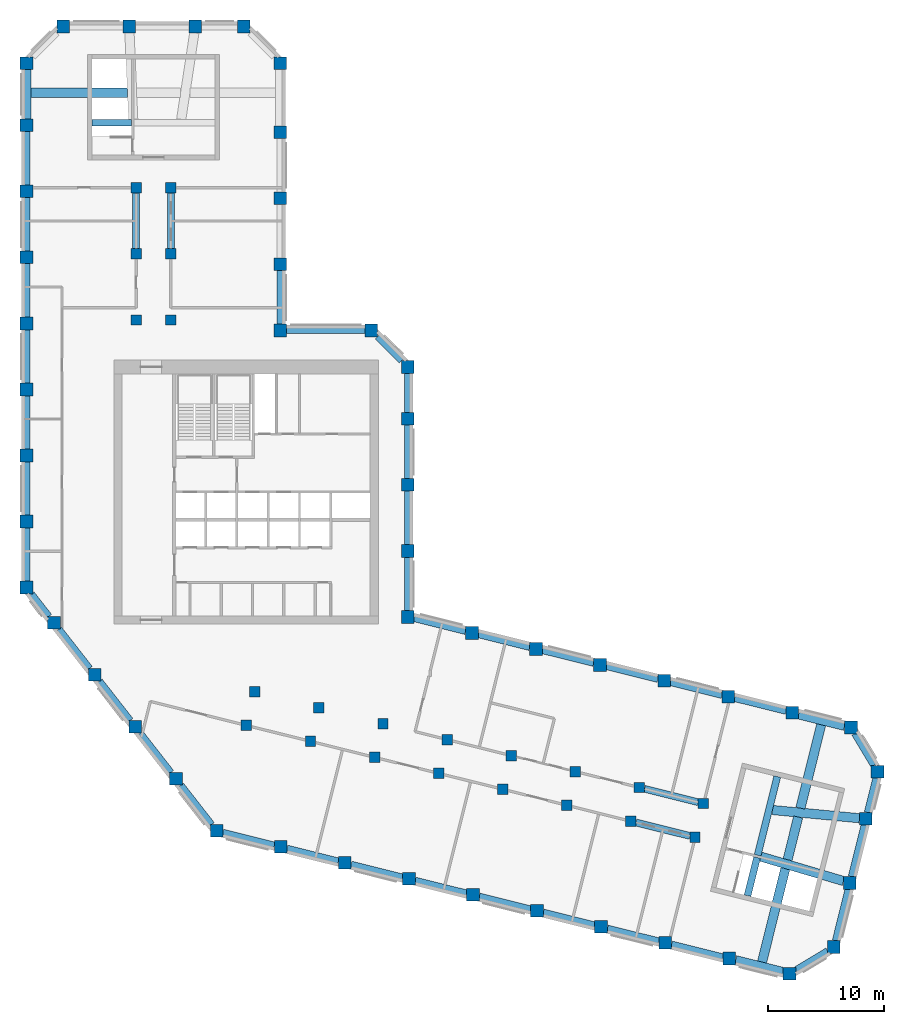
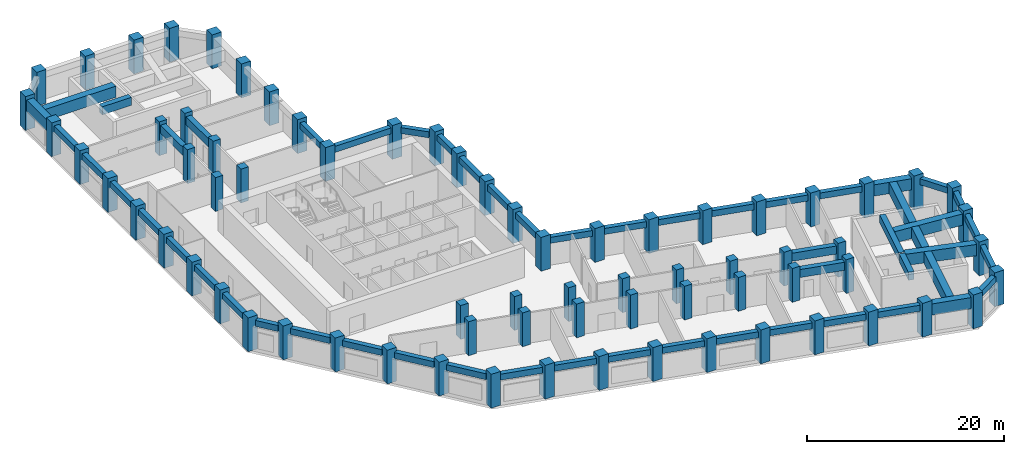
# One storey, part 1 of 8: 71 columns, 54 beams.
"""IFC4 building model written with IfcOpenShell, lengths in metres."""

from ifc_helpers import new_model, si_unit, direction, frame, origin, origin_2d, place, context, subcontext, project, spatial, rectangle, extrude, material, material_profile, profile_set, type_object, element, save


model = new_model("IFC4")

# Units and contexts
model_context = context("Model", 3, precision=1e-05, world=origin(), true_north=direction((0.0, 1.0)))
body_context = subcontext(model_context, "Body", "Model", "MODEL_VIEW")
ifc_project = project(units=[si_unit("LENGTHUNIT", "METRE"), si_unit("AREAUNIT", "SQUARE_METRE"), si_unit("VOLUMEUNIT", "CUBIC_METRE"), si_unit("PLANEANGLEUNIT", "RADIAN"), si_unit("MASSUNIT", "GRAM", prefix="KILO")], contexts=[model_context])

# Site, building, storey
site_placement = place(None, origin())
site = spatial("IfcSite", under=ifc_project, at=site_placement, CompositionType="ELEMENT")
building_placement = place(site_placement, origin())
building = spatial("IfcBuilding", under=site, at=building_placement, Name="Meshkara Civic Tower", CompositionType="ELEMENT")
storey_placement = place(building_placement, frame((0.0, 0.0, 280.199951171875)))
storey = spatial("IfcBuildingStorey", under=building, at=storey_placement, Name="L64", CompositionType="ELEMENT", Elevation=280.199951171875)

# Columns
ifc_material_1 = material(Name="Concrete C60", Category="concrete")
ifc_material_profile_1 = material_profile(ifc_material_1, rectangle(XDim=0.89990234375, YDim=0.89990234375, at=origin_2d()))
ifc_profile_set_1 = profile_set([ifc_material_profile_1], Name="Concrete C60")
column_type_1 = type_object("IfcColumnType", Name="Interior column RC 900x900 C60", PredefinedType="COLUMN", material=ifc_profile_set_1)
for number, where, z_axis, x_axis, name in (
    (1, (9.89990234375, 40.35009765625, 0.0), (0.0, 0.0, 1.0), (1.0, 0.0, 0.0), "Column SA1-04 L64"),
    (2, (9.89990234375, 46.050048828125, 0.0), (0.0, 0.0, 1.0), (1.0, 0.0, 0.0), "Column SA1-05 L64"),
    (3, (9.89990234375, 51.75, 0.0), (0.0, 0.0, 1.0), (1.0, 0.0, 0.0), "Column SA1-06 L64"),
    (4, (12.89990234375, 40.35009765625, 0.0), (0.0, 0.0, 1.0), (1.0, 0.0, 0.0), "Column SA2-04 L64"),
    (5, (12.89990234375, 46.050048828125, 0.0), (0.0, 0.0, 1.0), (1.0, 0.0, 0.0), "Column SA2-05 L64"),
    (6, (12.89990234375, 51.75, 0.0), (0.0, 0.0, 1.0), (1.0, 0.0, 0.0), "Column SA2-06 L64"),
    (7, (19.424072265625, 5.360107421875, 0.0), (0.0, 0.0, 1.0), (1.0, 0.0, 0.0), "Column SB1-00 L64"),
    (8, (24.9541015625, 3.98095703125, 0.0), (0.0, 0.0, 1.0), (1.0, 0.0, 0.0), "Column SB1-01 L64"),
    (9, (30.485107421875, 2.60205078125, 0.0), (0.0, 0.0, 1.0), (1.0, 0.0, 0.0), "Column SB1-02 L64"),
    (10, (36.01611328125, 1.222900390625, 0.0), (0.0, 0.0, 1.0), (1.0, 0.0, 0.0), "Column SB1-03 L64"),
    (11, (41.5458984375, -0.156005859375, 0.0), (0.0, 0.0, 1.0), (1.0, 0.0, 0.0), "Column SB1-04 L64"),
    (12, (47.076904296875, -1.534912109375, 0.0), (0.0, 0.0, 1.0), (1.0, 0.0, 0.0), "Column SB1-05 L64"),
    (13, (52.60791015625, -2.9140625, 0.0), (0.0, 0.0, 1.0), (1.0, 0.0, 0.0), "Column SB1-06 L64"),
    (14, (58.138916015625, -4.2919921875, 0.0), (0.0, 0.0, 1.0), (1.0, 0.0, 0.0), "Column SB1-07 L64"),
    (15, (20.14892578125, 8.27099609375, 0.0), (0.0, 0.0, 1.0), (1.0, 0.0, 0.0), "Column SB2-00 L64"),
    (16, (25.679931640625, 6.89208984375, 0.0), (0.0, 0.0, 1.0), (1.0, 0.0, 0.0), "Column SB2-01 L64"),
    (17, (31.2109375, 5.512939453125, 0.0), (0.0, 0.0, 1.0), (1.0, 0.0, 0.0), "Column SB2-02 L64"),
    (18, (36.741943359375, 4.134033203125, 0.0), (0.0, 0.0, 1.0), (1.0, 0.0, 0.0), "Column SB2-03 L64"),
    (19, (42.27197265625, 2.7548828125, 0.0), (0.0, 0.0, 1.0), (1.0, 0.0, 0.0), "Column SB2-04 L64"),
    (20, (47.802978515625, 1.3759765625, 0.0), (0.0, 0.0, 1.0), (1.0, 0.0, 0.0), "Column SB2-05 L64"),
    (21, (53.333984375, -0.0029296875, 0.0), (0.0, 0.0, 1.0), (1.0, 0.0, 0.0), "Column SB2-06 L64"),
    (22, (58.864013671875, -1.382080078125, 0.0), (0.0, 0.0, 1.0), (1.0, 0.0, 0.0), "Column SB2-07 L64"),
):
    element("IfcColumn", number, at=place(storey_placement, frame(where, z_axis=z_axis, x_axis=x_axis)), inside=storey, type_object=column_type_1, Name=name, PredefinedType="COLUMN", context=body_context, shape_type="SweptSolid", body=[
        extrude(rectangle(XDim=0.89990234375, YDim=0.89990234375, at=origin_2d()), origin(), (0.0, 0.0, 1.0), 4.199951171875),
    ])
ifc_material_2 = material(Name="Concrete C60", Category="concrete")
ifc_material_profile_2 = material_profile(ifc_material_2, rectangle(XDim=1.10009765625, YDim=1.10009765625, at=origin_2d()))
ifc_profile_set_2 = profile_set([ifc_material_profile_2], Name="Concrete C60")
column_type_2 = type_object("IfcColumnType", Name="Perimeter column RC 1100x1100 C60", PredefinedType="COLUMN", material=ifc_profile_set_2)
for number, where, z_axis, x_axis, name in (
    (23, (33.35009765625, 14.718994140625, 0.0), (0.0, 0.0, 1.0), (1.0, 0.0, 0.0), "Column HE00 L64"),
    (24, (33.35009765625, 20.4189453125, 0.0), (0.0, 0.0, 1.0), (1.0, 0.0, 0.0), "Column HE01 L64"),
    (25, (33.35009765625, 26.118896484375, 0.0), (0.0, 0.0, 1.0), (1.0, 0.0, 0.0), "Column HE02 L64"),
    (26, (33.35009765625, 31.819091796875, 0.0), (0.0, 0.0, 1.0), (1.0, 0.0, 0.0), "Column HE03 L64"),
    (27, (33.35009765625, 36.2939453125, 0.0), (0.0, 0.0, 1.0), (1.0, 0.0, 0.0), "Column HEE L64"),
    (28, (30.194091796875, 39.449951171875, 0.0), (0.0, 0.0, 1.0), (1.0, 0.0, 0.0), "Column HCeE L64"),
    (29, (22.35009765625, 39.449951171875, 0.0), (0.0, 0.0, 1.0), (1.0, 0.0, 0.0), "Column HN00 L64"),
    (30, (22.35009765625, 45.14990234375, 0.0), (0.0, 0.0, 1.0), (1.0, 0.0, 0.0), "Column AE01 L64"),
    (31, (22.35009765625, 50.85009765625, 0.0), (0.0, 0.0, 1.0), (1.0, 0.0, 0.0), "Column AE02 L64"),
    (32, (22.35009765625, 56.550048828125, 0.0), (0.0, 0.0, 1.0), (1.0, 0.0, 0.0), "Column AE03 L64"),
    (33, (22.35009765625, 62.513916015625, 0.0), (0.0, 0.0, 1.0), (1.0, 0.0, 0.0), "Column AEEP3 L64"),
    (34, (19.194091796875, 65.669921875, 0.0), (0.0, 0.0, 1.0), (1.0, 0.0, 0.0), "Column ATiEP3 L64"),
    (35, (3.60595703125, 65.669921875, 0.0), (0.0, 0.0, 1.0), (1.0, 0.0, 0.0), "Column AT00-P3 L64"),
    (36, (9.305908203125, 65.669921875, 0.0), (0.0, 0.0, 1.0), (1.0, 0.0, 0.0), "Column AT01-P3 L64"),
    (37, (15.006103515625, 65.669921875, 0.0), (0.0, 0.0, 1.0), (1.0, 0.0, 0.0), "Column AT02-P3 L64"),
    (38, (0.449951171875, 62.513916015625, 0.0), (0.0, 0.0, 1.0), (1.0, 0.0, 0.0), "Column ATo00-P3 L64"),
    (39, (0.449951171875, 17.2548828125, 0.0), (0.0, 0.0, 1.0), (1.0, 0.0, 0.0), "Column AW00 L64"),
    (40, (0.449951171875, 22.955078125, 0.0), (0.0, 0.0, 1.0), (1.0, 0.0, 0.0), "Column AW01 L64"),
    (41, (0.449951171875, 28.655029296875, 0.0), (0.0, 0.0, 1.0), (1.0, 0.0, 0.0), "Column AW02 L64"),
    (42, (0.449951171875, 34.35498046875, 0.0), (0.0, 0.0, 1.0), (1.0, 0.0, 0.0), "Column AW03 L64"),
    (43, (0.449951171875, 40.054931640625, 0.0), (0.0, 0.0, 1.0), (1.0, 0.0, 0.0), "Column AW04 L64"),
    (44, (0.449951171875, 45.7548828125, 0.0), (0.0, 0.0, 1.0), (1.0, 0.0, 0.0), "Column AW05 L64"),
    (45, (0.449951171875, 51.455078125, 0.0), (0.0, 0.0, 1.0), (1.0, 0.0, 0.0), "Column AW06 L64"),
    (46, (0.449951171875, 57.155029296875, 0.0), (0.0, 0.0, 1.0), (1.0, 0.0, 0.0), "Column AW07 L64"),
    (47, (16.85107421875, -3.738037109375, 0.0), (0.0, 0.0, 1.0), (1.0, 0.0, 0.0), "Column BOW00 L64"),
    (48, (13.342041015625, 0.75390625, 0.0), (0.0, 0.0, 1.0), (1.0, 0.0, 0.0), "Column BOW01 L64"),
    (49, (9.8330078125, 5.2451171875, 0.0), (0.0, 0.0, 1.0), (1.0, 0.0, 0.0), "Column BOW02 L64"),
    (50, (6.322998046875, 9.737060546875, 0.0), (0.0, 0.0, 1.0), (1.0, 0.0, 0.0), "Column BOW03 L64"),
    (51, (2.81396484375, 14.22900390625, 0.0), (0.0, 0.0, 1.0), (1.0, 0.0, 0.0), "Column BOW04 L64"),
    (52, (22.382080078125, -5.116943359375, 0.0), (0.0, 0.0, 1.0), (1.0, 0.0, 0.0), "Column BS01 L64"),
    (53, (27.912109375, -6.49609375, 0.0), (0.0, 0.0, 1.0), (1.0, 0.0, 0.0), "Column BS02 L64"),
    (54, (33.443115234375, -7.875, 0.0), (0.0, 0.0, 1.0), (1.0, 0.0, 0.0), "Column BS03 L64"),
    (55, (38.97412109375, -9.2529296875, 0.0), (0.0, 0.0, 1.0), (1.0, 0.0, 0.0), "Column BS04-P1 L64"),
    (56, (44.5048828125, -10.632080078125, 0.0), (0.0, 0.0, 1.0), (1.0, 0.0, 0.0), "Column BS05 L64"),
    (57, (50.034912109375, -12.010986328125, 0.0), (0.0, 0.0, 1.0), (1.0, 0.0, 0.0), "Column BS06 L64"),
    (58, (55.56591796875, -13.389892578125, 0.0), (0.0, 0.0, 1.0), (1.0, 0.0, 0.0), "Column BS07 L64"),
    (59, (61.096923828125, -14.76904296875, 0.0), (0.0, 0.0, 1.0), (1.0, 0.0, 0.0), "Column BS08 L64"),
    (60, (66.2958984375, -16.06494140625, 0.0), (0.0, 0.0, 1.0), (1.0, 0.0, 0.0), "Column BSEP3 L64"),
    (61, (70.1220703125, -13.76611328125, 0.0), (0.0, 0.0, 1.0), (1.0, 0.0, 0.0), "Column BToEP3 L64"),
    (62, (71.5009765625, -8.235107421875, 0.0), (0.0, 0.0, 1.0), (1.0, 0.0, 0.0), "Column BT01-P3 L64"),
    (63, (72.8798828125, -2.705078125, 0.0), (0.0, 0.0, 1.0), (1.0, 0.0, 0.0), "Column BT02-P3 L64"),
    (64, (73.89306640625, 1.35791015625, 0.0), (0.0, 0.0, 1.0), (1.0, 0.0, 0.0), "Column BTEP3 L64"),
    (65, (71.593994140625, 5.18310546875, 0.0), (0.0, 0.0, 1.0), (1.0, 0.0, 0.0), "Column BTi00-P3 L64"),
    (66, (38.881103515625, 13.340087890625, 0.0), (0.0, 0.0, 1.0), (1.0, 0.0, 0.0), "Column BN01 L64"),
    (67, (44.410888671875, 11.9609375, 0.0), (0.0, 0.0, 1.0), (1.0, 0.0, 0.0), "Column BN02 L64"),
    (68, (49.94189453125, 10.58203125, 0.0), (0.0, 0.0, 1.0), (1.0, 0.0, 0.0), "Column BN03 L64"),
    (69, (55.472900390625, 9.202880859375, 0.0), (0.0, 0.0, 1.0), (1.0, 0.0, 0.0), "Column BN04 L64"),
    (70, (61.0029296875, 7.823974609375, 0.0), (0.0, 0.0, 1.0), (1.0, 0.0, 0.0), "Column BN05 L64"),
    (71, (66.533935546875, 6.445068359375, 0.0), (0.0, 0.0, 1.0), (1.0, 0.0, 0.0), "Column BN06 L64"),
):
    element("IfcColumn", number, at=place(storey_placement, frame(where, z_axis=z_axis, x_axis=x_axis)), inside=storey, type_object=column_type_2, Name=name, PredefinedType="COLUMN", context=body_context, shape_type="SweptSolid", body=[
        extrude(rectangle(XDim=1.10009765625, YDim=1.10009765625, at=origin_2d()), origin(), (0.0, 0.0, 1.0), 4.199951171875),
    ])

# Beams
ifc_material_3 = material(Name="Concrete C60", Category="concrete")
ifc_material_profile_3 = material_profile(ifc_material_3, rectangle(XDim=0.60009765625, YDim=1.0, at=origin_2d()))
ifc_profile_set_3 = profile_set([ifc_material_profile_3], Name="Concrete C60")
beam_type_1 = type_object("IfcBeamType", Name="Core transfer beam RC 600x1000 C60", PredefinedType="BEAM", material=ifc_profile_set_3)
for number, where, z_axis, x_axis, name in (
    (72, (9.89990234375, 46.5, 3.25), (0.0, 1.0, 0.0), (-1.0, 0.0, 0.0), "Transfer beam A L65 core-side wall"),
    (73, (12.89990234375, 46.5, 3.25), (0.0, 1.0, 0.0), (-1.0, 0.0, 0.0), "Transfer beam A L65 core-side wall"),
):
    element("IfcBeam", number, at=place(storey_placement, frame(where, z_axis=z_axis, x_axis=x_axis)), inside=storey, type_object=beam_type_1, Name=name, PredefinedType="BEAM", context=body_context, shape_type="SweptSolid", body=[
        extrude(rectangle(XDim=0.60009765625, YDim=1.0, at=origin_2d()), origin(), (0.0, 0.0, 1.0), 4.800048828125),
    ])
beam_1_placement = place(storey_placement, frame((6.10009765625, 57.3701171875, 3.25), z_axis=(1.0, 0.0, 0.0), x_axis=(0.0, 1.0, 0.0)))
element("IfcBeam", 74, at=beam_1_placement, inside=storey, type_object=beam_type_1, Name="Transfer beam A L65 tip-side wall", PredefinedType="BEAM", context=body_context, shape_type="SweptSolid", body=[
    extrude(rectangle(XDim=0.60009765625, YDim=1.0, at=origin_2d()), origin(), (0.0, 0.0, 1.0), 3.39990234375),
])
beam_2_placement = place(storey_placement, frame((53.044921875, -3.02294921875, 3.25), z_axis=(0.970342655799, -0.241733593728, 0.0), x_axis=(0.241733593728, 0.970342655799, 0.0)))
element("IfcBeam", 75, at=beam_2_placement, inside=storey, type_object=beam_type_1, Name="Transfer beam B L65 core-side wall", PredefinedType="BEAM", context=body_context, shape_type="SweptSolid", body=[
    extrude(rectangle(XDim=0.60009765625, YDim=1.0, at=origin_2d()), origin(), (0.0, 0.0, 1.0), 4.79931640625),
])
beam_3_placement = place(storey_placement, frame((53.77099609375, -0.112060546875, 3.25), z_axis=(0.970294942127, -0.241925040628, 0.0), x_axis=(0.241925040628, 0.970294942127, 0.0)))
element("IfcBeam", 76, at=beam_3_placement, inside=storey, type_object=beam_type_1, Name="Transfer beam B L65 core-side wall", PredefinedType="BEAM", context=body_context, shape_type="SweptSolid", body=[
    extrude(rectangle(XDim=0.60009765625, YDim=1.0, at=origin_2d()), origin(), (0.0, 0.0, 1.0), 4.798583984375),
])
beam_4_placement = place(storey_placement, frame((62.672119140625, -9.339111328125, 3.25), z_axis=(0.242045648808, 0.970264862753, 0.0), x_axis=(-0.970264862753, 0.242045648808, 0.0)))
element("IfcBeam", 77, at=beam_4_placement, inside=storey, type_object=beam_type_1, Name="Transfer beam B L65 tip-side wall", PredefinedType="BEAM", context=body_context, shape_type="SweptSolid", body=[
    extrude(rectangle(XDim=0.60009765625, YDim=1.0, at=origin_2d()), origin(), (0.0, 0.0, 1.0), 3.400146484375),
])
beam_5_placement = place(storey_placement, frame((63.54296875, -5.845947265625, 3.25), z_axis=(0.242010385333, 0.970273659022, 0.0), x_axis=(-0.970273659022, 0.242010385333, 0.0)))
element("IfcBeam", 78, at=beam_5_placement, inside=storey, type_object=beam_type_1, Name="Transfer beam B L65 tip-side wall", PredefinedType="BEAM", context=body_context, shape_type="SweptSolid", body=[
    extrude(rectangle(XDim=0.60009765625, YDim=1.0, at=origin_2d()), origin(), (0.0, 0.0, 1.0), 7.0),
])
ifc_material_4 = material(Name="Concrete C60", Category="concrete")
ifc_material_profile_4 = material_profile(ifc_material_4, rectangle(XDim=0.550048828125, YDim=0.75, at=origin_2d()))
ifc_profile_set_4 = profile_set([ifc_material_profile_4], Name="Concrete C60")
beam_type_2 = type_object("IfcBeamType", Name="Spandrel beam RC 550x750 C60", PredefinedType="BEAM", material=ifc_profile_set_4)
beam_6_placement = place(storey_placement, frame((65.989013671875, 6.580810546875, 3.375), z_axis=(-0.970299186733, 0.241908016044, 0.0), x_axis=(-0.241908016044, -0.970299186733, 0.0)))
element("IfcBeam", 79, at=beam_6_placement, inside=storey, type_object=beam_type_2, Name="Spandrel beam BN05-BN06", PredefinedType="BEAM", context=body_context, shape_type="SweptSolid", body=[
    extrude(rectangle(XDim=0.550048828125, YDim=0.75, at=origin_2d()), origin(), (0.0, 0.0, 1.0), 4.576904296875),
])
beam_7_placement = place(storey_placement, frame((60.4580078125, 7.9599609375, 3.375), z_axis=(-0.970286696562, 0.241958108925, 0.0), x_axis=(-0.241958108925, -0.970286696562, 0.0)))
element("IfcBeam", 80, at=beam_7_placement, inside=storey, type_object=beam_type_2, Name="Spandrel beam BN04-BN05", PredefinedType="BEAM", context=body_context, shape_type="SweptSolid", body=[
    extrude(rectangle(XDim=0.550048828125, YDim=0.75, at=origin_2d()), origin(), (0.0, 0.0, 1.0), 4.575927734375),
])
for number, where, z_axis, x_axis, name in (
    (81, (54.927978515625, 9.3388671875, 3.375), (-0.970299186733, 0.241908016044, 0.0), (-0.241908016044, -0.970299186733, 0.0), "Spandrel beam BN03-BN04"),
    (82, (49.39697265625, 10.718017578125, 3.375), (-0.970299186733, 0.241908016044, 0.0), (-0.241908016044, -0.970299186733, 0.0), "Spandrel beam BN02-BN03"),
):
    element("IfcBeam", number, at=place(storey_placement, frame(where, z_axis=z_axis, x_axis=x_axis)), inside=storey, type_object=beam_type_2, Name=name, PredefinedType="BEAM", context=body_context, shape_type="SweptSolid", body=[
        extrude(rectangle(XDim=0.550048828125, YDim=0.75, at=origin_2d()), origin(), (0.0, 0.0, 1.0), 4.576904296875),
    ])
beam_8_placement = place(storey_placement, frame((43.865966796875, 12.096923828125, 3.375), z_axis=(-0.970286696562, 0.241958108925, 0.0), x_axis=(-0.241958108925, -0.970286696562, 0.0)))
element("IfcBeam", 83, at=beam_8_placement, inside=storey, type_object=beam_type_2, Name="Spandrel beam BN01-BN02", PredefinedType="BEAM", context=body_context, shape_type="SweptSolid", body=[
    extrude(rectangle(XDim=0.550048828125, YDim=0.75, at=origin_2d()), origin(), (0.0, 0.0, 1.0), 4.575927734375),
])
beam_9_placement = place(storey_placement, frame((38.3359375, 13.475830078125, 3.375), z_axis=(-0.970299186733, 0.241908016044, 0.0), x_axis=(-0.241908016044, -0.970299186733, 0.0)))
element("IfcBeam", 84, at=beam_9_placement, inside=storey, type_object=beam_type_2, Name="Spandrel beam BN01-HE00", PredefinedType="BEAM", context=body_context, shape_type="SweptSolid", body=[
    extrude(rectangle(XDim=0.550048828125, YDim=0.75, at=origin_2d()), origin(), (0.0, 0.0, 1.0), 4.576904296875),
])
beam_10_placement = place(storey_placement, frame((33.35009765625, 15.263916015625, 3.375), z_axis=(0.0, 1.0, 0.0), x_axis=(-1.0, 0.0, 0.0)))
element("IfcBeam", 85, at=beam_10_placement, inside=storey, type_object=beam_type_2, Name="Spandrel beam HE00-HE01", PredefinedType="BEAM", context=body_context, shape_type="SweptSolid", body=[
    extrude(rectangle(XDim=0.550048828125, YDim=0.75, at=origin_2d()), origin(), (0.0, 0.0, 1.0), 4.610107421875),
])
for number, where, z_axis, x_axis, name in (
    (86, (33.35009765625, 20.964111328125, 3.375), (0.0, 1.0, 0.0), (-1.0, 0.0, 0.0), "Spandrel beam HE01-HE02"),
    (87, (33.35009765625, 26.6640625, 3.375), (0.0, 1.0, 0.0), (-1.0, 0.0, 0.0), "Spandrel beam HE02-HE03"),
):
    element("IfcBeam", number, at=place(storey_placement, frame(where, z_axis=z_axis, x_axis=x_axis)), inside=storey, type_object=beam_type_2, Name=name, PredefinedType="BEAM", context=body_context, shape_type="SweptSolid", body=[
        extrude(rectangle(XDim=0.550048828125, YDim=0.75, at=origin_2d()), origin(), (0.0, 0.0, 1.0), 4.60986328125),
    ])
beam_11_placement = place(storey_placement, frame((33.35009765625, 32.364013671875, 3.375), z_axis=(0.0, 1.0, 0.0), x_axis=(-1.0, 0.0, 0.0)))
element("IfcBeam", 88, at=beam_11_placement, inside=storey, type_object=beam_type_2, Name="Spandrel beam HE03-HEE", PredefinedType="BEAM", context=body_context, shape_type="SweptSolid", body=[
    extrude(rectangle(XDim=0.550048828125, YDim=0.75, at=origin_2d()), origin(), (0.0, 0.0, 1.0), 3.385009765625),
])
beam_12_placement = place(storey_placement, frame((32.803466796875, 36.840576171875, 3.375), z_axis=(-0.707106781187, 0.707106781187, 0.0), x_axis=(-0.707106781187, -0.707106781187, 0.0)))
element("IfcBeam", 89, at=beam_12_placement, inside=storey, type_object=beam_type_2, Name="Spandrel beam HCeE-HEE", PredefinedType="BEAM", context=body_context, shape_type="SweptSolid", body=[
    extrude(rectangle(XDim=0.550048828125, YDim=0.75, at=origin_2d()), origin(), (0.0, 0.0, 1.0), 2.91748046875),
])
beam_13_placement = place(storey_placement, frame((29.64892578125, 39.449951171875, 3.375), z_axis=(-1.0, 0.0, 0.0), x_axis=(0.0, -1.0, 0.0)))
element("IfcBeam", 90, at=beam_13_placement, inside=storey, type_object=beam_type_2, Name="Spandrel beam HCeE-HN00", PredefinedType="BEAM", context=body_context, shape_type="SweptSolid", body=[
    extrude(rectangle(XDim=0.550048828125, YDim=0.75, at=origin_2d()), origin(), (0.0, 0.0, 1.0), 6.75390625),
])
beam_14_placement = place(storey_placement, frame((22.35009765625, 39.9951171875, 3.375), z_axis=(0.0, 1.0, 0.0), x_axis=(-1.0, 0.0, 0.0)))
element("IfcBeam", 91, at=beam_14_placement, inside=storey, type_object=beam_type_2, Name="Spandrel beam AE01-HN00", PredefinedType="BEAM", context=body_context, shape_type="SweptSolid", body=[
    extrude(rectangle(XDim=0.550048828125, YDim=0.75, at=origin_2d()), origin(), (0.0, 0.0, 1.0), 4.60986328125),
])
beam_15_placement = place(storey_placement, frame((0.449951171875, 56.610107421875, 3.375), z_axis=(0.0, -1.0, 0.0), x_axis=(1.0, 0.0, 0.0)))
element("IfcBeam", 92, at=beam_15_placement, inside=storey, type_object=beam_type_2, Name="Spandrel beam AW06-AW07", PredefinedType="BEAM", context=body_context, shape_type="SweptSolid", body=[
    extrude(rectangle(XDim=0.550048828125, YDim=0.75, at=origin_2d()), origin(), (0.0, 0.0, 1.0), 4.610107421875),
])
for number, where, z_axis, x_axis, name in (
    (93, (0.449951171875, 50.909912109375, 3.375), (0.0, -1.0, 0.0), (1.0, 0.0, 0.0), "Spandrel beam AW05-AW06"),
    (94, (0.449951171875, 45.2099609375, 3.375), (0.0, -1.0, 0.0), (1.0, 0.0, 0.0), "Spandrel beam AW04-AW05"),
):
    element("IfcBeam", number, at=place(storey_placement, frame(where, z_axis=z_axis, x_axis=x_axis)), inside=storey, type_object=beam_type_2, Name=name, PredefinedType="BEAM", context=body_context, shape_type="SweptSolid", body=[
        extrude(rectangle(XDim=0.550048828125, YDim=0.75, at=origin_2d()), origin(), (0.0, 0.0, 1.0), 4.60986328125),
    ])
for number, where, z_axis, x_axis, name in (
    (95, (0.449951171875, 39.510009765625, 3.375), (0.0, -1.0, 0.0), (1.0, 0.0, 0.0), "Spandrel beam AW03-AW04"),
    (96, (0.449951171875, 33.81005859375, 3.375), (0.0, -1.0, 0.0), (1.0, 0.0, 0.0), "Spandrel beam AW02-AW03"),
    (97, (0.449951171875, 28.110107421875, 3.375), (0.0, -1.0, 0.0), (1.0, 0.0, 0.0), "Spandrel beam AW01-AW02"),
):
    element("IfcBeam", number, at=place(storey_placement, frame(where, z_axis=z_axis, x_axis=x_axis)), inside=storey, type_object=beam_type_2, Name=name, PredefinedType="BEAM", context=body_context, shape_type="SweptSolid", body=[
        extrude(rectangle(XDim=0.550048828125, YDim=0.75, at=origin_2d()), origin(), (0.0, 0.0, 1.0), 4.610107421875),
    ])
beam_16_placement = place(storey_placement, frame((0.449951171875, 22.409912109375, 3.375), z_axis=(0.0, -1.0, 0.0), x_axis=(1.0, 0.0, 0.0)))
element("IfcBeam", 98, at=beam_16_placement, inside=storey, type_object=beam_type_2, Name="Spandrel beam AW00-AW01", PredefinedType="BEAM", context=body_context, shape_type="SweptSolid", body=[
    extrude(rectangle(XDim=0.550048828125, YDim=0.75, at=origin_2d()), origin(), (0.0, 0.0, 1.0), 4.60986328125),
])
beam_17_placement = place(storey_placement, frame((0.876708984375, 16.708984375, 3.375), z_axis=(0.615626666257, -0.788037948194, 0.0), x_axis=(0.788037948194, 0.615626666257, 0.0)))
element("IfcBeam", 99, at=beam_17_placement, inside=storey, type_object=beam_type_2, Name="Spandrel beam AW00-BOW04", PredefinedType="BEAM", context=body_context, shape_type="SweptSolid", body=[
    extrude(rectangle(XDim=0.550048828125, YDim=0.75, at=origin_2d()), origin(), (0.0, 0.0, 1.0), 2.4541015625),
])
beam_18_placement = place(storey_placement, frame((3.240478515625, 13.682861328125, 3.375), z_axis=(0.615647336498, -0.788021799865, 0.0), x_axis=(0.788021799865, 0.615647336498, 0.0)))
element("IfcBeam", 100, at=beam_18_placement, inside=storey, type_object=beam_type_2, Name="Spandrel beam BOW03-BOW04", PredefinedType="BEAM", context=body_context, shape_type="SweptSolid", body=[
    extrude(rectangle(XDim=0.550048828125, YDim=0.75, at=origin_2d()), origin(), (0.0, 0.0, 1.0), 4.314208984375),
])
beam_19_placement = place(storey_placement, frame((6.749755859375, 9.19091796875, 3.375), z_axis=(0.615690159083, -0.787988342559, 0.0), x_axis=(0.787988342559, 0.615690159083, 0.0)))
element("IfcBeam", 101, at=beam_19_placement, inside=storey, type_object=beam_type_2, Name="Spandrel beam BOW02-BOW03", PredefinedType="BEAM", context=body_context, shape_type="SweptSolid", body=[
    extrude(rectangle(XDim=0.550048828125, YDim=0.75, at=origin_2d()), origin(), (0.0, 0.0, 1.0), 4.314697265625),
])
beam_20_placement = place(storey_placement, frame((10.259765625, 4.698974609375, 3.375), z_axis=(0.615659419462, -0.788012359819, 0.0), x_axis=(0.788012359819, 0.615659419462, 0.0)))
element("IfcBeam", 102, at=beam_20_placement, inside=storey, type_object=beam_type_2, Name="Spandrel beam BOW01-BOW02", PredefinedType="BEAM", context=body_context, shape_type="SweptSolid", body=[
    extrude(rectangle(XDim=0.550048828125, YDim=0.75, at=origin_2d()), origin(), (0.0, 0.0, 1.0), 4.313232421875),
])
beam_21_placement = place(storey_placement, frame((13.7685546875, 0.2080078125, 3.375), z_axis=(0.615584739249, -0.788070700384, 0.0), x_axis=(0.788070700384, 0.615584739249, 0.0)))
element("IfcBeam", 103, at=beam_21_placement, inside=storey, type_object=beam_type_2, Name="Spandrel beam BOW00-BOW01", PredefinedType="BEAM", context=body_context, shape_type="SweptSolid", body=[
    extrude(rectangle(XDim=0.550048828125, YDim=0.75, at=origin_2d()), origin(), (0.0, 0.0, 1.0), 4.314208984375),
])
beam_22_placement = place(storey_placement, frame((17.39599609375, -3.873779296875, 3.375), z_axis=(0.970286664886, -0.24195823595, 0.0), x_axis=(0.24195823595, 0.970286664886, 0.0)))
element("IfcBeam", 104, at=beam_22_placement, inside=storey, type_object=beam_type_2, Name="Spandrel beam BOW00-BS01", PredefinedType="BEAM", context=body_context, shape_type="SweptSolid", body=[
    extrude(rectangle(XDim=0.550048828125, YDim=0.75, at=origin_2d()), origin(), (0.0, 0.0, 1.0), 4.576904296875),
])
beam_23_placement = place(storey_placement, frame((22.927001953125, -5.2529296875, 3.375), z_axis=(0.970286696562, -0.241958108925, 0.0), x_axis=(0.241958108925, 0.970286696562, 0.0)))
element("IfcBeam", 105, at=beam_23_placement, inside=storey, type_object=beam_type_2, Name="Spandrel beam BS01-BS02", PredefinedType="BEAM", context=body_context, shape_type="SweptSolid", body=[
    extrude(rectangle(XDim=0.550048828125, YDim=0.75, at=origin_2d()), origin(), (0.0, 0.0, 1.0), 4.575927734375),
])
beam_24_placement = place(storey_placement, frame((28.45703125, -6.6318359375, 3.375), z_axis=(0.970299186733, -0.241908016044, 0.0), x_axis=(0.241908016044, 0.970299186733, 0.0)))
element("IfcBeam", 106, at=beam_24_placement, inside=storey, type_object=beam_type_2, Name="Spandrel beam BS02-BS03", PredefinedType="BEAM", context=body_context, shape_type="SweptSolid", body=[
    extrude(rectangle(XDim=0.550048828125, YDim=0.75, at=origin_2d()), origin(), (0.0, 0.0, 1.0), 4.576904296875),
])
beam_25_placement = place(storey_placement, frame((33.988037109375, -8.0107421875, 3.375), z_axis=(0.970336738613, -0.241757344662, 0.0), x_axis=(0.241757344662, 0.970336738613, 0.0)))
element("IfcBeam", 107, at=beam_25_placement, inside=storey, type_object=beam_type_2, Name="Spandrel beam BS03-BS04-P1", PredefinedType="BEAM", context=body_context, shape_type="SweptSolid", body=[
    extrude(rectangle(XDim=0.550048828125, YDim=0.75, at=origin_2d()), origin(), (0.0, 0.0, 1.0), 4.57666015625),
])
beam_26_placement = place(storey_placement, frame((39.51904296875, -9.388916015625, 3.375), z_axis=(0.970299186733, -0.241908016044, 0.0), x_axis=(0.241908016044, 0.970299186733, 0.0)))
element("IfcBeam", 108, at=beam_26_placement, inside=storey, type_object=beam_type_2, Name="Spandrel beam BS04-P1-BS05", PredefinedType="BEAM", context=body_context, shape_type="SweptSolid", body=[
    extrude(rectangle(XDim=0.550048828125, YDim=0.75, at=origin_2d()), origin(), (0.0, 0.0, 1.0), 4.576904296875),
])
beam_27_placement = place(storey_placement, frame((45.050048828125, -10.767822265625, 3.375), z_axis=(0.970286696562, -0.241958108925, 0.0), x_axis=(0.241958108925, 0.970286696562, 0.0)))
element("IfcBeam", 109, at=beam_27_placement, inside=storey, type_object=beam_type_2, Name="Spandrel beam BS05-BS06", PredefinedType="BEAM", context=body_context, shape_type="SweptSolid", body=[
    extrude(rectangle(XDim=0.550048828125, YDim=0.75, at=origin_2d()), origin(), (0.0, 0.0, 1.0), 4.575927734375),
])
for number, where, z_axis, x_axis, name in (
    (110, (50.580078125, -12.14697265625, 3.375), (0.970299186733, -0.241908016044, 0.0), (0.241908016044, 0.970299186733, 0.0), "Spandrel beam BS06-BS07"),
    (111, (56.111083984375, -13.52587890625, 3.375), (0.970299186733, -0.241908016044, 0.0), (0.241908016044, 0.970299186733, 0.0), "Spandrel beam BS07-BS08"),
):
    element("IfcBeam", number, at=place(storey_placement, frame(where, z_axis=z_axis, x_axis=x_axis)), inside=storey, type_object=beam_type_2, Name=name, PredefinedType="BEAM", context=body_context, shape_type="SweptSolid", body=[
        extrude(rectangle(XDim=0.550048828125, YDim=0.75, at=origin_2d()), origin(), (0.0, 0.0, 1.0), 4.576904296875),
    ])
beam_28_placement = place(storey_placement, frame((66.841796875, -15.737060546875, 3.375), z_axis=(0.857175401914, 0.51502459199, 0.0), x_axis=(-0.51502459199, 0.857175401914, 0.0)))
element("IfcBeam", 112, at=beam_28_placement, inside=storey, type_object=beam_type_2, Name="Spandrel beam BSEP3-BToEP3", PredefinedType="BEAM", context=body_context, shape_type="SweptSolid", body=[
    extrude(rectangle(XDim=0.550048828125, YDim=0.75, at=origin_2d()), origin(), (0.0, 0.0, 1.0), 3.190185546875),
])
beam_29_placement = place(storey_placement, frame((70.2578125, -13.220947265625, 3.375), z_axis=(0.241908016044, 0.970299186733, 0.0), x_axis=(-0.970299186733, 0.241908016044, 0.0)))
element("IfcBeam", 113, at=beam_29_placement, inside=storey, type_object=beam_type_2, Name="Spandrel beam BT01-P3-BToEP3", PredefinedType="BEAM", context=body_context, shape_type="SweptSolid", body=[
    extrude(rectangle(XDim=0.550048828125, YDim=0.75, at=origin_2d()), origin(), (0.0, 0.0, 1.0), 4.576904296875),
])
beam_30_placement = place(storey_placement, frame((71.636962890625, -7.68994140625, 3.375), z_axis=(0.241958108925, 0.970286696562, 0.0), x_axis=(-0.970286696562, 0.241958108925, 0.0)))
element("IfcBeam", 114, at=beam_30_placement, inside=storey, type_object=beam_type_2, Name="Spandrel beam BT01-P3-BT02-P3", PredefinedType="BEAM", context=body_context, shape_type="SweptSolid", body=[
    extrude(rectangle(XDim=0.550048828125, YDim=0.75, at=origin_2d()), origin(), (0.0, 0.0, 1.0), 4.575927734375),
])
beam_31_placement = place(storey_placement, frame((73.015869140625, -2.159912109375, 3.375), z_axis=(0.24191686251, 0.970296981152, 0.0), x_axis=(-0.970296981152, 0.24191686251, 0.0)))
element("IfcBeam", 115, at=beam_31_placement, inside=storey, type_object=beam_type_2, Name="Spandrel beam BT02-P3-BTEP3", PredefinedType="BEAM", context=body_context, shape_type="SweptSolid", body=[
    extrude(rectangle(XDim=0.550048828125, YDim=0.75, at=origin_2d()), origin(), (0.0, 0.0, 1.0), 3.06396484375),
])
beam_32_placement = place(storey_placement, frame((73.56494140625, 1.90380859375, 3.375), z_axis=(-0.515137320802, 0.857107659934, 0.0), x_axis=(-0.857107659934, -0.515137320802, 0.0)))
element("IfcBeam", 116, at=beam_32_placement, inside=storey, type_object=beam_type_2, Name="Spandrel beam BTEP3-BTi00-P3", PredefinedType="BEAM", context=body_context, shape_type="SweptSolid", body=[
    extrude(rectangle(XDim=0.550048828125, YDim=0.75, at=origin_2d()), origin(), (0.0, 0.0, 1.0), 3.189208984375),
])
ifc_material_5 = material(Name="Concrete C70", Category="concrete")
ifc_material_profile_5 = material_profile(ifc_material_5, rectangle(XDim=0.800048828125, YDim=1.39990234375, at=origin_2d()))
ifc_profile_set_5 = profile_set([ifc_material_profile_5], Name="Concrete C70")
beam_type_3 = type_object("IfcBeamType", Name="Transfer girder RC 800x1400 C70", PredefinedType="BEAM", material=ifc_profile_set_5)
beam_33_placement = place(storey_placement, frame((0.449951171875, 57.699951171875, 3.050048828125), z_axis=(0.0, 1.0, 0.0), x_axis=(-1.0, 0.0, 0.0)))
element("IfcBeam", 117, at=beam_33_placement, inside=storey, type_object=beam_type_3, Name="Transfer girder ATo00-P3-AW07", PredefinedType="BEAM", context=body_context, shape_type="SweptSolid", body=[
    extrude(rectangle(XDim=0.800048828125, YDim=1.39990234375, at=origin_2d()), origin(), (0.0, 0.0, 1.0), 4.26904296875),
])
beam_34_placement = place(storey_placement, frame((0.85009765625, 59.969970703125, 3.050048828125), z_axis=(1.0, 0.0, 0.0), x_axis=(0.0, 1.0, 0.0)))
element("IfcBeam", 118, at=beam_34_placement, inside=storey, type_object=beam_type_3, Name="Transfer girder tip A L65", PredefinedType="BEAM", context=body_context, shape_type="SweptSolid", body=[
    extrude(rectangle(XDim=0.800048828125, YDim=1.39990234375, at=origin_2d()), origin(), (0.0, 0.0, 1.0), 8.299072265625),
])
beam_35_placement = place(storey_placement, frame((61.64208984375, -14.90478515625, 3.050048828125), z_axis=(0.970298301424, -0.24191156701, 0.0), x_axis=(0.24191156701, 0.970298301424, 0.0)))
element("IfcBeam", 119, at=beam_35_placement, inside=storey, type_object=beam_type_3, Name="Transfer girder BS08-BSEP3", PredefinedType="BEAM", context=body_context, shape_type="SweptSolid", body=[
    extrude(rectangle(XDim=0.800048828125, YDim=1.39990234375, at=origin_2d()), origin(), (0.0, 0.0, 1.0), 4.234619140625),
])
beam_36_placement = place(storey_placement, frame((67.0791015625, 6.30908203125, 3.050048828125), z_axis=(0.970282744603, -0.241973956296, 0.0), x_axis=(0.241973956296, 0.970282744603, 0.0)))
element("IfcBeam", 120, at=beam_36_placement, inside=storey, type_object=beam_type_3, Name="Transfer girder BN06-BTi00-P3", PredefinedType="BEAM", context=body_context, shape_type="SweptSolid", body=[
    extrude(rectangle(XDim=0.800048828125, YDim=1.39990234375, at=origin_2d()), origin(), (0.0, 0.0, 1.0), 4.09130859375),
])
beam_37_placement = place(storey_placement, frame((63.822021484375, -5.968994140625, 3.050048828125), z_axis=(0.959108473633, -0.283038753187, 0.0), x_axis=(0.283038753187, 0.959108473633, 0.0)))
element("IfcBeam", 121, at=beam_37_placement, inside=storey, type_object=beam_type_3, Name="Transfer girder BT01-P3-SB1-07", PredefinedType="BEAM", context=body_context, shape_type="SweptSolid", body=[
    extrude(rectangle(XDim=0.800048828125, YDim=1.39990234375, at=origin_2d()), origin(), (0.0, 0.0, 1.0), 7.43798828125),
])
beam_38_placement = place(storey_placement, frame((64.824951171875, -1.944580078125, 3.050048828125), z_axis=(0.995573390811, -0.093987358243, 0.0), x_axis=(0.093987358243, 0.995573390811, 0.0)))
element("IfcBeam", 122, at=beam_38_placement, inside=storey, type_object=beam_type_3, Name="Transfer girder BT02-P3-SB2-07", PredefinedType="BEAM", context=body_context, shape_type="SweptSolid", body=[
    extrude(rectangle(XDim=0.800048828125, YDim=1.39990234375, at=origin_2d()), origin(), (0.0, 0.0, 1.0), 7.54345703125),
])
beam_39_placement = place(storey_placement, frame((63.92431640625, -15.0615234375, 3.050048828125), z_axis=(0.241912659632, 0.970298029015, 0.0), x_axis=(-0.970298029015, 0.241912659632, 0.0)))
element("IfcBeam", 123, at=beam_39_placement, inside=storey, type_object=beam_type_3, Name="Transfer girder tip B L65", PredefinedType="BEAM", context=body_context, shape_type="SweptSolid", body=[
    extrude(rectangle(XDim=0.800048828125, YDim=1.39990234375, at=origin_2d()), origin(), (0.0, 0.0, 1.0), 8.2998046875),
])
beam_40_placement = place(storey_placement, frame((66.125732421875, -6.232177734375, 3.050048828125), z_axis=(0.24191472791, 0.970297513354, 0.0), x_axis=(-0.970297513354, 0.24191472791, 0.0)))
element("IfcBeam", 124, at=beam_40_placement, inside=storey, type_object=beam_type_3, Name="Transfer girder tip B L65", PredefinedType="BEAM", context=body_context, shape_type="SweptSolid", body=[
    extrude(rectangle(XDim=0.800048828125, YDim=1.39990234375, at=origin_2d()), origin(), (0.0, 0.0, 1.0), 3.793701171875),
])
beam_41_placement = place(storey_placement, frame((67.237060546875, -1.775146484375, 3.050048828125), z_axis=(0.241907273812, 0.97029937178, 0.0), x_axis=(-0.97029937178, 0.241907273812, 0.0)))
element("IfcBeam", 125, at=beam_41_placement, inside=storey, type_object=beam_type_3, Name="Transfer girder tip B L65", PredefinedType="BEAM", context=body_context, shape_type="SweptSolid", body=[
    extrude(rectangle(XDim=0.800048828125, YDim=1.39990234375, at=origin_2d()), origin(), (0.0, 0.0, 1.0), 7.40576171875),
])

save(model, "model.ifc")
